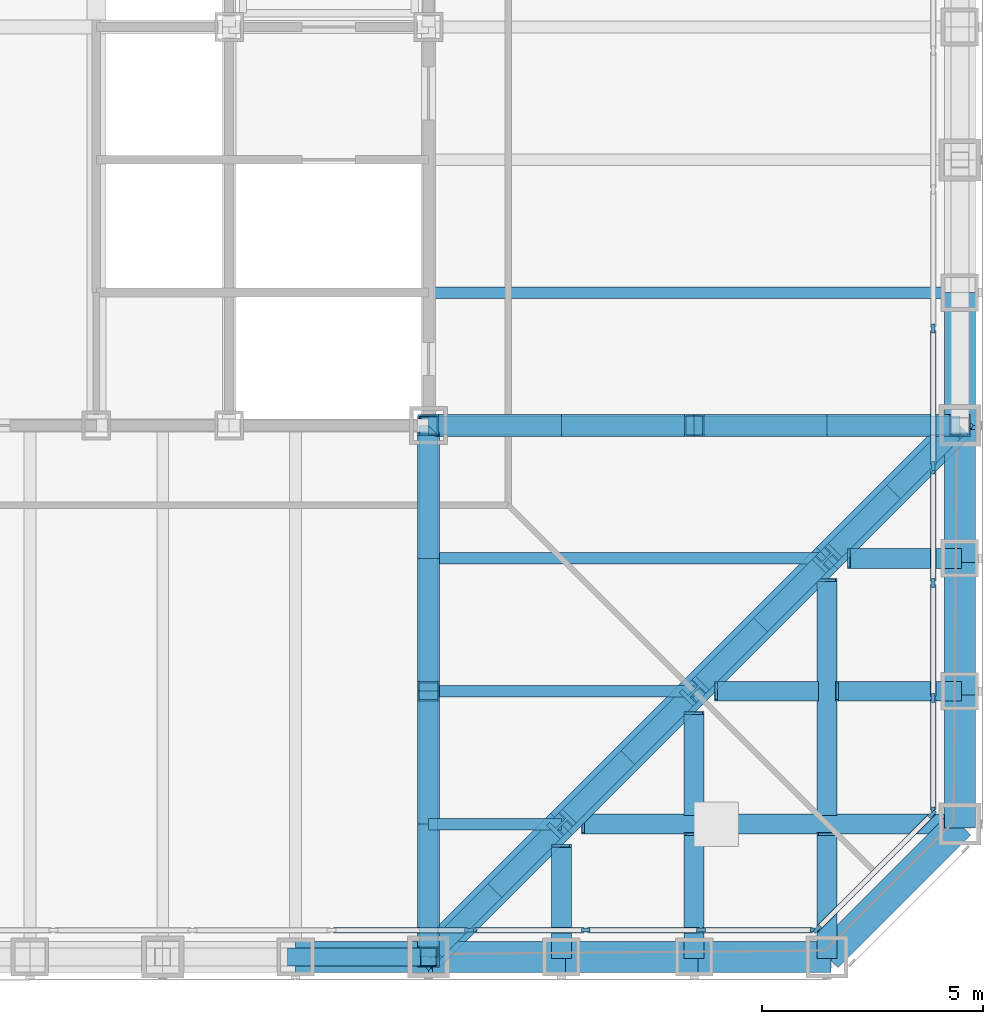
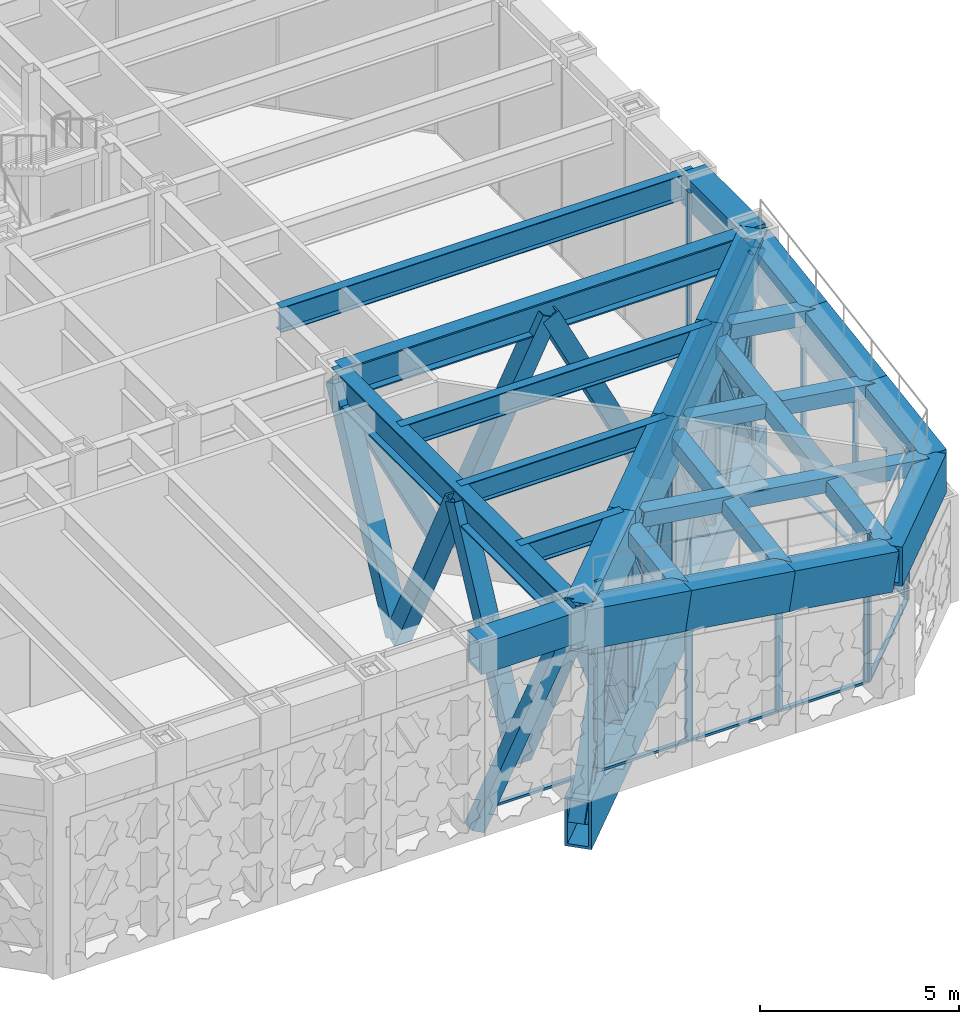
# One storey, part 6 of 28: 47 members, 24 beams, 5 elements without a shape of their own.
"""IFC4 building model written with IfcOpenShell, lengths in metres."""

import ifcopenshell
import ifcopenshell.guid

model = None  # the IFC model being written
_history = None  # IfcOwnerHistory: only IFC2X3 demands one
_inside = {}  # id of a spatial element -> (the spatial element, [elements in it])
_under = {}  # id of a project, library or spatial element -> (it, [spatial elements below it])
_declared = {}  # id of a project -> (the project, [libraries it declares])
_typed = {}  # id of a type object -> (the type object, [elements of that type])
_made_of = {}  # id of a material, layer set ... -> (it, [elements and type objects made of it])


def new_model(schema):
    """Start an empty IFC model of exactly this schema.

    Asked for "IFC4X3", IfcOpenShell would pick the latest addendum, in which some entities
    have other attributes; the version numbers below select the first issue.
    IFC2X3 requires an IfcOwnerHistory on every rooted entity: one is made here for all.
    """
    global model, _history
    if schema == "IFC4X3":
        model = ifcopenshell.file(schema_version=(4, 3, 0, 0))
    else:
        model = ifcopenshell.file(schema=schema)
    _inside.clear()
    _under.clear()
    _declared.clear()
    _typed.clear()
    _made_of.clear()
    _history = None
    if model.schema == "IFC2X3":
        org = make("IfcOrganization", Name="unknown")
        user = make(
            "IfcPersonAndOrganization",
            ThePerson=make("IfcPerson", FamilyName="unknown"),
            TheOrganization=org,
        )
        app = make(
            "IfcApplication",
            ApplicationDeveloper=org,
            Version="unknown",
            ApplicationFullName="unknown",
            ApplicationIdentifier="unknown",
        )
        _history = make(
            "IfcOwnerHistory",
            OwningUser=user,
            OwningApplication=app,
            ChangeAction="ADDED",
            CreationDate=0,
        )
    return model


def make(cls, **values):
    """One entity of the class cls with the attributes given. An attribute that is None is left unset."""
    return model.create_entity(
        cls, **{name: value for name, value in values.items() if value is not None}
    )


def rooted(cls, **values):
    """An entity with a GlobalId (a new one), such as an element, a storey or a relation."""
    return make(cls, GlobalId=ifcopenshell.guid.new(), OwnerHistory=_history, **values)


def si_unit(unit_type, name, prefix=None):
    """IfcSIUnit, for example si_unit("LENGTHUNIT", "METRE", prefix="MILLI")."""
    return make("IfcSIUnit", UnitType=unit_type, Prefix=prefix, Name=name)


def assignment(units):
    """IfcUnitAssignment: the units of a project."""
    return None if units is None else make("IfcUnitAssignment", Units=units)


def point(xyz):
    """IfcCartesianPoint."""
    return None if xyz is None else make("IfcCartesianPoint", Coordinates=xyz)


def direction(xyz):
    """IfcDirection."""
    return None if xyz is None else make("IfcDirection", DirectionRatios=xyz)


def frame(location, z_axis=None, x_axis=None):
    """IfcAxis2Placement3D, a coordinate frame: its origin and axes. An axis left out is left unset."""
    return make(
        "IfcAxis2Placement3D",
        Location=point(location),
        Axis=direction(z_axis),
        RefDirection=direction(x_axis),
    )


def frame_2d(location, x_axis=None):
    """IfcAxis2Placement2D, a coordinate frame in the plane: its origin and x axis."""
    return make(
        "IfcAxis2Placement2D", Location=point(location), RefDirection=direction(x_axis)
    )


def origin():
    """The frame at (0, 0, 0) with its axes left unset."""
    return frame((0.0, 0.0, 0.0))


def origin_2d():
    """The frame at (0, 0) in the plane with its x axis left unset."""
    return frame_2d((0.0, 0.0))


def place(relative_to, where):
    """IfcLocalPlacement: puts the frame where relative to a parent placement (None: the world)."""
    return make(
        "IfcLocalPlacement", PlacementRelTo=relative_to, RelativePlacement=where
    )


def context(
    kind, dimensions, precision=None, world=None, true_north=None, identifier=None
):
    """IfcGeometricRepresentationContext, for example the 3D "Model" context."""
    return make(
        "IfcGeometricRepresentationContext",
        ContextIdentifier=identifier,
        ContextType=kind,
        CoordinateSpaceDimension=dimensions,
        Precision=precision,
        WorldCoordinateSystem=world,
        TrueNorth=true_north,
    )


def subcontext(parent, identifier, kind, view, scale=None):
    """IfcGeometricRepresentationSubContext, for example "Body" below "Model"."""
    return make(
        "IfcGeometricRepresentationSubContext",
        ContextIdentifier=identifier,
        ContextType=kind,
        ParentContext=parent,
        TargetScale=scale,
        TargetView=view,
    )


def project(units=None, contexts=None):
    """IfcProject with its units and contexts."""
    return rooted(
        "IfcProject",
        Name="project",
        RepresentationContexts=contexts,
        UnitsInContext=assignment(units),
    )


def spatial(cls, under=None, at=None, **own):
    """A site, building, storey or space (cls), placed at a placement, below another one or the project."""
    s = rooted(cls, ObjectPlacement=at, **own)
    if under is not None:
        _under.setdefault(under.id(), (under, []))[1].append(s)
    return s


def profile(cls, at=None, kind="AREA", **sizes):
    """A parametric profile (cls). Its sizes go by their IFC names, for example OverallWidth=200.0."""
    return make(cls, ProfileType=kind, Position=at, **sizes)


def rectangle(**sizes):
    """IfcRectangleProfileDef."""
    return profile("IfcRectangleProfileDef", **sizes)


def hollow_rectangle(**sizes):
    """IfcRectangleHollowProfileDef."""
    return profile("IfcRectangleHollowProfileDef", **sizes)


def i_section(**sizes):
    """IfcIShapeProfileDef."""
    return profile("IfcIShapeProfileDef", **sizes)


def extrude(swept, where, along, depth):
    """IfcExtrudedAreaSolid: the profile swept, set in the frame where, extruded along a direction by depth."""
    return make(
        "IfcExtrudedAreaSolid",
        SweptArea=swept,
        Position=where,
        ExtrudedDirection=direction(along),
        Depth=depth,
    )


def shape(context_of_items, identifier, shape_type, items):
    """IfcShapeRepresentation: the items that make up one representation, for example the "Body"."""
    return make(
        "IfcShapeRepresentation",
        ContextOfItems=context_of_items,
        RepresentationIdentifier=identifier,
        RepresentationType=shape_type,
        Items=items,
    )


def material(Name=None, Category=None):
    """IfcMaterial."""
    return make("IfcMaterial", Name=Name, Category=Category)


def layer(
    of_material, thickness, ventilated=None, Name=None, Category=None, Priority=None
):
    """IfcMaterialLayer: one layer of a wall or slab, of a material (None: an air gap)."""
    return make(
        "IfcMaterialLayer",
        Material=of_material,
        LayerThickness=thickness,
        IsVentilated=ventilated,
        Name=Name,
        Category=Category,
        Priority=Priority,
    )


def layer_set(layers, Name=None):
    """IfcMaterialLayerSet."""
    return make("IfcMaterialLayerSet", MaterialLayers=layers, LayerSetName=Name)


def material_profile(
    of_material, cross_section, Name=None, Category=None, Priority=None
):
    """IfcMaterialProfile: a cross section and its material."""
    return make(
        "IfcMaterialProfile",
        Name=Name,
        Material=of_material,
        Profile=cross_section,
        Priority=Priority,
        Category=Category,
    )


def profile_set(profiles, Name=None, composite=None):
    """IfcMaterialProfileSet."""
    return make(
        "IfcMaterialProfileSet",
        Name=Name,
        MaterialProfiles=profiles,
        CompositeProfile=composite,
    )


def made_of(thing, what):
    """Note that an element or type object is made of a material, layer set ...; save() writes the relation."""
    if what is not None:
        _made_of.setdefault(what.id(), (what, []))[1].append(thing)
    return thing


def type_object(cls, material=None, **own):
    """A type object (cls), such as IfcWallType, which elements share."""
    return made_of(rooted(cls, **own), material)


def element(
    cls,
    number,
    at=None,
    inside=None,
    cuts=None,
    type_object=None,
    material=None,
    context=None,
    identifier="Body",
    shape_type=None,
    held_by="IfcProductDefinitionShape",
    body=None,
    shapes=None,
    **own,
):
    """One element of the class cls, such as IfcWall. Its Tag is "e" and its number.

    at: its placement. inside: the storey or other place that contains it. cuts: it is an
    opening in that element (IfcRelVoidsElement). A single representation is given by context,
    identifier, shape_type and body (its items); several are given by shapes. held_by: the class
    of the entity that holds the representations. save() writes the other relations.
    """
    e = rooted(cls, Tag="e%d" % number, ObjectPlacement=at, **own)
    if body is not None:
        shapes = [shape(context, identifier, shape_type, body)]
    if shapes is not None:
        e.Representation = make(held_by, Representations=shapes)
    if inside is not None:
        _inside.setdefault(inside.id(), (inside, []))[1].append(e)
    if cuts is not None:
        rooted(
            "IfcRelVoidsElement", RelatingBuildingElement=cuts, RelatedOpeningElement=e
        )
    if type_object is not None:
        _typed.setdefault(type_object.id(), (type_object, []))[1].append(e)
    return made_of(e, material)


def aggregate(whole, parts):
    """IfcRelAggregates: a whole, such as a stair, and the parts it consists of."""
    return rooted("IfcRelAggregates", RelatingObject=whole, RelatedObjects=parts)


def save(model, path):
    """Write the relations noted so far, then the file.

    IfcRelAggregates (storeys below a building ...), IfcRelContainedInSpatialStructure (elements
    in a storey), IfcRelDefinesByType, IfcRelAssociatesMaterial and IfcRelDeclares: one each for
    every whole, place, type object, material and project.
    """
    for whole, parts in _under.values():
        aggregate(whole, parts)
    for where, things in _inside.values():
        rooted(
            "IfcRelContainedInSpatialStructure",
            RelatedElements=things,
            RelatingStructure=where,
        )
    for kind, things in _typed.values():
        rooted("IfcRelDefinesByType", RelatedObjects=things, RelatingType=kind)
    for what, things in _made_of.values():
        rooted("IfcRelAssociatesMaterial", RelatedObjects=things, RelatingMaterial=what)
    for by, libraries in _declared.values():
        rooted("IfcRelDeclares", RelatingContext=by, RelatedDefinitions=libraries)
    model.write(path)


model = new_model("IFC4")

# Units and contexts
model_context = context("Model", 3, precision=1e-05, world=origin(), true_north=direction((0.0, 1.0)))
body_context = subcontext(model_context, "Body", "Model", "MODEL_VIEW")
ifc_project = project(units=[si_unit("LENGTHUNIT", "METRE"), si_unit("AREAUNIT", "SQUARE_METRE"), si_unit("VOLUMEUNIT", "CUBIC_METRE"), si_unit("PLANEANGLEUNIT", "RADIAN"), si_unit("MASSUNIT", "GRAM", prefix="KILO")], contexts=[model_context])

# Site, building, storey
site_placement = place(None, origin())
site = spatial("IfcSite", under=ifc_project, at=site_placement, CompositionType="ELEMENT")
building_placement = place(site_placement, origin())
building = spatial("IfcBuilding", under=site, at=building_placement, Name="Chuquiago Exchange Tower", CompositionType="ELEMENT")
storey_placement = place(building_placement, frame((0.0, 0.0, 174.0)))
storey = spatial("IfcBuildingStorey", under=building, at=storey_placement, Name="L38", CompositionType="ELEMENT", Elevation=174.0)

# Beams
ifc_material_1 = material(Name="Steel ASTM A992", Category="steel")
ifc_material_profile_1 = material_profile(ifc_material_1, i_section(OverallWidth=0.2666015625, OverallDepth=0.761962890625, WebThickness=0.014404296875, FlangeThickness=0.021484375, at=origin_2d()), Name="W30X116")
ifc_profile_set_1 = profile_set([ifc_material_profile_1], Name="Steel ASTM A992")
beam_type_1 = type_object("IfcBeamType", Name="B8 W30X116", PredefinedType="BEAM", material=ifc_profile_set_1)
beam_1_placement = place(storey_placement, frame((33.0, 15.0, 5.458984375), z_axis=(1.0, 0.0, 0.0), x_axis=(0.0, 1.0, 0.0)))
element("IfcBeam", 1, at=beam_1_placement, inside=storey, type_object=beam_type_1, Name="FB-L39-infill-33_15-45_15-0", PredefinedType="BEAM", context=body_context, shape_type="SweptSolid", body=[
    extrude(i_section(OverallWidth=0.2666015625, OverallDepth=0.761962890625, WebThickness=0.014404296875, FlangeThickness=0.021484375, at=origin_2d()), origin(), (0.0, 0.0, 1.0), 12.0),
])
ifc_material_2 = material(Name="Steel ASTM A992", Category="steel")
ifc_material_profile_2 = material_profile(ifc_material_2, i_section(OverallWidth=0.256591796875, OverallDepth=0.693359375, WebThickness=0.014404296875, FlangeThickness=0.023681640625, at=origin_2d()), Name="W27X114")
ifc_profile_set_2 = profile_set([ifc_material_profile_2], Name="Steel ASTM A992")
beam_type_2 = type_object("IfcBeamType", Name="B9 W27X114", PredefinedType="BEAM", material=ifc_profile_set_2)
beam_2_placement = place(storey_placement, frame((33.0, 3.0, 5.493408203125), z_axis=(1.0, 0.0, 0.0), x_axis=(0.0, 1.0, 0.0)))
element("IfcBeam", 2, at=beam_2_placement, inside=storey, type_object=beam_type_2, Name="FB-L39-corner-33_3-36_3-0", PredefinedType="BEAM", context=body_context, shape_type="SweptSolid", body=[
    extrude(i_section(OverallWidth=0.256591796875, OverallDepth=0.693359375, WebThickness=0.014404296875, FlangeThickness=0.023681640625, at=origin_2d()), origin(), (0.0, 0.0, 1.0), 3.0),
])
beam_3_placement = place(storey_placement, frame((33.0, 6.0, 5.493408203125), z_axis=(1.0, 0.0, 0.0), x_axis=(0.0, 1.0, 0.0)))
element("IfcBeam", 3, at=beam_3_placement, inside=storey, type_object=beam_type_2, Name="FB-L39-corner-33_6-39_6-0", PredefinedType="BEAM", context=body_context, shape_type="SweptSolid", body=[
    extrude(i_section(OverallWidth=0.256591796875, OverallDepth=0.693359375, WebThickness=0.014404296875, FlangeThickness=0.023681640625, at=origin_2d()), origin(), (0.0, 0.0, 1.0), 6.0),
])
beam_4_placement = place(storey_placement, frame((33.0, 9.0, 5.493408203125), z_axis=(1.0, 0.0, 0.0), x_axis=(0.0, 1.0, 0.0)))
element("IfcBeam", 4, at=beam_4_placement, inside=storey, type_object=beam_type_2, Name="FB-L39-corner-33_9-42_9-0", PredefinedType="BEAM", context=body_context, shape_type="SweptSolid", body=[
    extrude(i_section(OverallWidth=0.256591796875, OverallDepth=0.693359375, WebThickness=0.014404296875, FlangeThickness=0.023681640625, at=origin_2d()), origin(), (0.0, 0.0, 1.0), 9.0),
])

# Member
ifc_material_3 = material(Name="Steel ASTM A500 Grade C", Category="steel")
ifc_material_profile_3 = material_profile(ifc_material_3, hollow_rectangle(XDim=0.406494140625, YDim=0.406494140625, WallThickness=0.0146484375, at=origin_2d()), Name="HSS16X16X5/8")
ifc_profile_set_3 = profile_set([ifc_material_profile_3], Name="Steel ASTM A500 Grade C")
member_type_1 = type_object("IfcMemberType", Name="BT1 HSS16X16X5/8", PredefinedType="BRACE", material=ifc_profile_set_3)
member_1_placement = place(storey_placement, frame((30.0, 0.0, 0.0), z_axis=(0.456929540486, 0.0, 0.889502892087), x_axis=(0.0, 1.0, 0.0)))
element("IfcMember", 5, at=member_1_placement, inside=storey, type_object=member_type_1, Name="Belt truss L38 diagonal", PredefinedType="BRACE", context=body_context, shape_type="SweptSolid", body=[
    extrude(hollow_rectangle(XDim=0.406494140625, YDim=0.406494140625, WallThickness=0.0146484375, at=origin_2d()), origin(), (0.0, 0.0, 1.0), 6.565673828125),
])

# Curtain wall, member
ifc_material_4 = material(Name="Aluminium curtain wall system", Category="aluminium")
ifc_layer = layer(ifc_material_4, 0.199951171875)
ifc_layer_set = layer_set([ifc_layer], Name="CW6 plant floor louvre wall")
curtain_wall_type = type_object("IfcCurtainWallType", Name="CW6 plant floor louvre wall", PredefinedType="NOTDEFINED", material=ifc_layer_set)
curtain_wall_1_placement = place(storey_placement, origin())
curtain_wall_1 = element("IfcCurtainWall", 6, at=curtain_wall_1_placement, inside=storey, type_object=curtain_wall_type, Name="CW6 curtain wall L38", PredefinedType="NOTDEFINED")
ifc_material_5 = material(Name="Aluminium mullion, pale anodised", Category="aluminium")
ifc_material_profile_4 = material_profile(ifc_material_5, rectangle(XDim=0.074951171875, YDim=0.199951171875, at=origin_2d()), Name="AL 75x200")
ifc_profile_set_4 = profile_set([ifc_material_profile_4], Name="Aluminium mullion, pale anodised")
member_type_2 = type_object("IfcMemberType", Name="CW6-M mullion 75x200", PredefinedType="MULLION", material=ifc_profile_set_4)
member_2_placement = place(storey_placement, frame((33.916015625, 0.60009765625, 0.0), z_axis=(0.0, 0.0, 1.0), x_axis=(0.0, 1.0, 0.0)))
member_2 = element("IfcMember", 7, at=member_2_placement, type_object=member_type_2, Name="CW6 mullion 6", PredefinedType="MULLION", context=body_context, shape_type="SweptSolid", body=[
    extrude(rectangle(XDim=0.074951171875, YDim=0.199951171875, at=origin_2d()), origin(), (0.0, 0.0, 1.0), 5.840087890625),
])

# Curtain wall, members
curtain_wall_2_placement = place(storey_placement, origin())
curtain_wall_2 = element("IfcCurtainWall", 8, at=curtain_wall_2_placement, inside=storey, type_object=curtain_wall_type, Name="CW6 curtain wall L38", PredefinedType="NOTDEFINED")
member_3_placement = place(storey_placement, frame((33.990966796875, 0.60009765625, 0.0), z_axis=(0.0, 0.0, 1.0), x_axis=(0.0, 1.0, 0.0)))
member_3 = element("IfcMember", 9, at=member_3_placement, type_object=member_type_2, Name="CW6 mullion 1", PredefinedType="MULLION", context=body_context, shape_type="SweptSolid", body=[
    extrude(rectangle(XDim=0.074951171875, YDim=0.199951171875, at=origin_2d()), origin(), (0.0, 0.0, 1.0), 4.5703125),
])
member_4_placement = place(storey_placement, frame((36.552734375, 0.60009765625, 0.0), z_axis=(0.0, 0.0, 1.0), x_axis=(0.0, 1.0, 0.0)))
member_4 = element("IfcMember", 10, at=member_4_placement, type_object=member_type_2, Name="CW6 mullion 2", PredefinedType="MULLION", context=body_context, shape_type="SweptSolid", body=[
    extrude(rectangle(XDim=0.074951171875, YDim=0.199951171875, at=origin_2d()), origin(), (0.0, 0.0, 1.0), 4.5703125),
])
member_5_placement = place(storey_placement, frame((39.152099609375, 0.60009765625, 0.0), z_axis=(0.0, 0.0, 1.0), x_axis=(0.0, 1.0, 0.0)))
member_5 = element("IfcMember", 11, at=member_5_placement, type_object=member_type_2, Name="CW6 mullion 3", PredefinedType="MULLION", context=body_context, shape_type="SweptSolid", body=[
    extrude(rectangle(XDim=0.074951171875, YDim=0.199951171875, at=origin_2d()), origin(), (0.0, 0.0, 1.0), 4.5703125),
])
member_6_placement = place(storey_placement, frame((41.7138671875, 0.60009765625, 0.0), z_axis=(0.0, 0.0, 1.0), x_axis=(0.0, 1.0, 0.0)))
member_6 = element("IfcMember", 12, at=member_6_placement, type_object=member_type_2, Name="CW6 mullion 4", PredefinedType="MULLION", context=body_context, shape_type="SweptSolid", body=[
    extrude(rectangle(XDim=0.074951171875, YDim=0.199951171875, at=origin_2d()), origin(), (0.0, 0.0, 1.0), 4.5703125),
])

curtain_wall_3_placement = place(storey_placement, origin())
curtain_wall_3 = element("IfcCurtainWall", 13, at=curtain_wall_3_placement, inside=storey, type_object=curtain_wall_type, Name="CW6 curtain wall L38", PredefinedType="NOTDEFINED")
member_7_placement = place(storey_placement, frame((41.778076171875, 0.62646484375, 0.0), z_axis=(0.0, 0.0, 1.0), x_axis=(-0.707106781187, 0.707106781187, 0.0)))
member_7 = element("IfcMember", 14, at=member_7_placement, type_object=member_type_2, Name="CW6 mullion 1", PredefinedType="MULLION", context=body_context, shape_type="SweptSolid", body=[
    extrude(rectangle(XDim=0.074951171875, YDim=0.199951171875, at=origin_2d()), origin(), (0.0, 0.0, 1.0), 4.5703125),
])
member_8_placement = place(storey_placement, frame((44.37353515625, 3.221923828125, 0.0), z_axis=(0.0, 0.0, 1.0), x_axis=(-0.707106781187, 0.707106781187, 0.0)))
member_8 = element("IfcMember", 15, at=member_8_placement, type_object=member_type_2, Name="CW6 mullion 2", PredefinedType="MULLION", context=body_context, shape_type="SweptSolid", body=[
    extrude(rectangle(XDim=0.074951171875, YDim=0.199951171875, at=origin_2d()), origin(), (0.0, 0.0, 1.0), 4.5703125),
])

curtain_wall_4_placement = place(storey_placement, origin())
curtain_wall_4 = element("IfcCurtainWall", 16, at=curtain_wall_4_placement, inside=storey, type_object=curtain_wall_type, Name="CW6 curtain wall L38", PredefinedType="NOTDEFINED")
member_9_placement = place(storey_placement, frame((44.39990234375, 3.285888671875, 0.0), z_axis=(0.0, 0.0, 1.0), x_axis=(-1.0, 0.0, 0.0)))
member_9 = element("IfcMember", 17, at=member_9_placement, type_object=member_type_2, Name="CW6 mullion 1", PredefinedType="MULLION", context=body_context, shape_type="SweptSolid", body=[
    extrude(rectangle(XDim=0.074951171875, YDim=0.199951171875, at=origin_2d()), origin(), (0.0, 0.0, 1.0), 4.5703125),
])
member_10_placement = place(storey_placement, frame((44.39990234375, 5.847900390625, 0.0), z_axis=(0.0, 0.0, 1.0), x_axis=(-1.0, 0.0, 0.0)))
member_10 = element("IfcMember", 18, at=member_10_placement, type_object=member_type_2, Name="CW6 mullion 2", PredefinedType="MULLION", context=body_context, shape_type="SweptSolid", body=[
    extrude(rectangle(XDim=0.074951171875, YDim=0.199951171875, at=origin_2d()), origin(), (0.0, 0.0, 1.0), 4.5703125),
])
member_11_placement = place(storey_placement, frame((44.39990234375, 8.447021484375, 0.0), z_axis=(0.0, 0.0, 1.0), x_axis=(-1.0, 0.0, 0.0)))
member_11 = element("IfcMember", 19, at=member_11_placement, type_object=member_type_2, Name="CW6 mullion 3", PredefinedType="MULLION", context=body_context, shape_type="SweptSolid", body=[
    extrude(rectangle(XDim=0.074951171875, YDim=0.199951171875, at=origin_2d()), origin(), (0.0, 0.0, 1.0), 4.5703125),
])
member_12_placement = place(storey_placement, frame((44.39990234375, 11.0087890625, 0.0), z_axis=(0.0, 0.0, 1.0), x_axis=(-1.0, 0.0, 0.0)))
member_12 = element("IfcMember", 20, at=member_12_placement, type_object=member_type_2, Name="CW6 mullion 4", PredefinedType="MULLION", context=body_context, shape_type="SweptSolid", body=[
    extrude(rectangle(XDim=0.074951171875, YDim=0.199951171875, at=origin_2d()), origin(), (0.0, 0.0, 1.0), 4.5703125),
])

curtain_wall_5_placement = place(storey_placement, origin())
curtain_wall_5 = element("IfcCurtainWall", 21, at=curtain_wall_5_placement, inside=storey, type_object=curtain_wall_type, Name="CW6 curtain wall L38", PredefinedType="NOTDEFINED")
member_13_placement = place(storey_placement, frame((44.39990234375, 11.083984375, 0.0), z_axis=(0.0, 0.0, 1.0), x_axis=(-1.0, 0.0, 0.0)))
member_13 = element("IfcMember", 22, at=member_13_placement, type_object=member_type_2, Name="CW6 mullion 1", PredefinedType="MULLION", context=body_context, shape_type="SweptSolid", body=[
    extrude(rectangle(XDim=0.074951171875, YDim=0.199951171875, at=origin_2d()), origin(), (0.0, 0.0, 1.0), 5.840087890625),
])
member_14_placement = place(storey_placement, frame((44.39990234375, 14.1875, 0.0), z_axis=(0.0, 0.0, 1.0), x_axis=(-1.0, 0.0, 0.0)))
member_14 = element("IfcMember", 23, at=member_14_placement, type_object=member_type_2, Name="CW6 mullion 2", PredefinedType="MULLION", context=body_context, shape_type="SweptSolid", body=[
    extrude(rectangle(XDim=0.074951171875, YDim=0.199951171875, at=origin_2d()), origin(), (0.0, 0.0, 1.0), 5.840087890625),
])

# Member
ifc_material_6 = material(Name="Aluminium transom, pale anodised", Category="aluminium")
ifc_material_profile_5 = material_profile(ifc_material_6, rectangle(XDim=0.1201171875, YDim=0.074951171875, at=origin_2d()), Name="AL 120x75")
ifc_profile_set_5 = profile_set([ifc_material_profile_5], Name="Aluminium transom, pale anodised")
member_type_3 = type_object("IfcMemberType", Name="CW6-T transom 75x120", PredefinedType="MULLION", material=ifc_profile_set_5)
member_15_placement = place(storey_placement, frame((30.85009765625, 0.60009765625, 0.03759765625), z_axis=(1.0, 0.0, 0.0), x_axis=(0.0, 1.0, 0.0)))
member_15 = element("IfcMember", 24, at=member_15_placement, type_object=member_type_3, Name="CW6 transom 5.1", PredefinedType="MULLION", context=body_context, shape_type="SweptSolid", body=[
    extrude(rectangle(XDim=0.1201171875, YDim=0.074951171875, at=origin_2d()), origin(), (0.0, 0.0, 1.0), 3.0283203125),
])

aggregate(curtain_wall_1, [member_2, member_15])

member_16_placement = place(storey_placement, frame((34.028564453125, 0.60009765625, 0.03759765625), z_axis=(1.0, 0.0, 0.0), x_axis=(0.0, 1.0, 0.0)))
member_16 = element("IfcMember", 25, at=member_16_placement, type_object=member_type_3, Name="CW6 transom 1.1", PredefinedType="MULLION", context=body_context, shape_type="SweptSolid", body=[
    extrude(rectangle(XDim=0.1201171875, YDim=0.074951171875, at=origin_2d()), origin(), (0.0, 0.0, 1.0), 2.48681640625),
])

member_17_placement = place(storey_placement, frame((36.59033203125, 0.60009765625, 0.03759765625), z_axis=(1.0, 0.0, 0.0), x_axis=(0.0, 1.0, 0.0)))
member_17 = element("IfcMember", 26, at=member_17_placement, type_object=member_type_3, Name="CW6 transom 2.1", PredefinedType="MULLION", context=body_context, shape_type="SweptSolid", body=[
    extrude(rectangle(XDim=0.1201171875, YDim=0.074951171875, at=origin_2d()), origin(), (0.0, 0.0, 1.0), 2.524169921875),
])

member_18_placement = place(storey_placement, frame((39.189697265625, 0.60009765625, 0.03759765625), z_axis=(1.0, 0.0, 0.0), x_axis=(0.0, 1.0, 0.0)))
member_18 = element("IfcMember", 27, at=member_18_placement, type_object=member_type_3, Name="CW6 transom 3.1", PredefinedType="MULLION", context=body_context, shape_type="SweptSolid", body=[
    extrude(rectangle(XDim=0.1201171875, YDim=0.074951171875, at=origin_2d()), origin(), (0.0, 0.0, 1.0), 2.48681640625),
])

aggregate(curtain_wall_2, [member_3, member_4, member_5, member_6, member_16, member_17, member_18])

member_19_placement = place(storey_placement, frame((41.804443359375, 0.653076171875, 0.03759765625), z_axis=(0.707106781187, 0.707106781187, 0.0), x_axis=(-0.707106781187, 0.707106781187, 0.0)))
member_19 = element("IfcMember", 28, at=member_19_placement, type_object=member_type_3, Name="CW6 transom 1.1", PredefinedType="MULLION", context=body_context, shape_type="SweptSolid", body=[
    extrude(rectangle(XDim=0.1201171875, YDim=0.074951171875, at=origin_2d()), origin(), (0.0, 0.0, 1.0), 3.595703125),
])

aggregate(curtain_wall_3, [member_7, member_8, member_19])

member_20_placement = place(storey_placement, frame((44.39990234375, 3.323486328125, 0.03759765625), z_axis=(0.0, 1.0, 0.0), x_axis=(-1.0, 0.0, 0.0)))
member_20 = element("IfcMember", 29, at=member_20_placement, type_object=member_type_3, Name="CW6 transom 1.1", PredefinedType="MULLION", context=body_context, shape_type="SweptSolid", body=[
    extrude(rectangle(XDim=0.1201171875, YDim=0.074951171875, at=origin_2d()), origin(), (0.0, 0.0, 1.0), 2.48681640625),
])

member_21_placement = place(storey_placement, frame((44.39990234375, 5.88525390625, 0.03759765625), z_axis=(0.0, 1.0, 0.0), x_axis=(-1.0, 0.0, 0.0)))
member_21 = element("IfcMember", 30, at=member_21_placement, type_object=member_type_3, Name="CW6 transom 2.1", PredefinedType="MULLION", context=body_context, shape_type="SweptSolid", body=[
    extrude(rectangle(XDim=0.1201171875, YDim=0.074951171875, at=origin_2d()), origin(), (0.0, 0.0, 1.0), 2.5244140625),
])

member_22_placement = place(storey_placement, frame((44.39990234375, 8.484619140625, 0.03759765625), z_axis=(0.0, 1.0, 0.0), x_axis=(-1.0, 0.0, 0.0)))
member_22 = element("IfcMember", 31, at=member_22_placement, type_object=member_type_3, Name="CW6 transom 3.1", PredefinedType="MULLION", context=body_context, shape_type="SweptSolid", body=[
    extrude(rectangle(XDim=0.1201171875, YDim=0.074951171875, at=origin_2d()), origin(), (0.0, 0.0, 1.0), 2.48681640625),
])

aggregate(curtain_wall_4, [member_9, member_10, member_11, member_12, member_20, member_21, member_22])

member_23_placement = place(storey_placement, frame((44.39990234375, 11.121337890625, 0.03759765625), z_axis=(0.0, 1.0, 0.0), x_axis=(-1.0, 0.0, 0.0)))
member_23 = element("IfcMember", 32, at=member_23_placement, type_object=member_type_3, Name="CW6 transom 1.1", PredefinedType="MULLION", context=body_context, shape_type="SweptSolid", body=[
    extrude(rectangle(XDim=0.1201171875, YDim=0.074951171875, at=origin_2d()), origin(), (0.0, 0.0, 1.0), 3.028564453125),
])

aggregate(curtain_wall_5, [member_13, member_14, member_23])

# Beams
ifc_material_7 = material(Name="Steel ASTM A572 Grade 50", Category="steel")
ifc_material_profile_6 = material_profile(ifc_material_7, hollow_rectangle(XDim=0.699951171875, YDim=1.199951171875, WallThickness=0.090087890625, at=origin_2d()), Name="BOX1200X700X90")
ifc_profile_set_6 = profile_set([ifc_material_profile_6], Name="Steel ASTM A572 Grade 50")
beam_type_3 = type_object("IfcBeamType", Name="EB2 BOX1200X700X90", PredefinedType="BEAM", material=ifc_profile_set_6)
for number, where, z_axis, x_axis, name in (
    (33, (33.0, 0.0, 5.199951171875), (0.98889144561, 0.0, -0.148639526371), (0.0, 1.0, 0.0), "Facet roof edge beam L38"),
    (34, (36.0, 0.0, 4.7490234375), (0.98889144561, 0.0, -0.148639526371), (0.0, 1.0, 0.0), "Facet roof edge beam L38"),
    (35, (39.0, 0.0, 4.298095703125), (0.988903271683, 0.0, -0.148560826784), (0.0, 1.0, 0.0), "Facet roof edge beam L38"),
):
    element("IfcBeam", number, at=place(storey_placement, frame(where, z_axis=z_axis, x_axis=x_axis)), inside=storey, type_object=beam_type_3, Name=name, PredefinedType="BEAM", context=body_context, shape_type="SweptSolid", body=[
        extrude(hollow_rectangle(XDim=0.699951171875, YDim=1.199951171875, WallThickness=0.090087890625, at=origin_2d()), origin(), (0.0, 0.0, 1.0), 3.03369140625),
    ])
beam_5_placement = place(storey_placement, frame((42.0, 0.0, 3.847412109375), z_axis=(0.707106781187, 0.707106781187, 0.0), x_axis=(-0.707106781187, 0.707106781187, 0.0)))
element("IfcBeam", 36, at=beam_5_placement, inside=storey, type_object=beam_type_3, Name="Facet roof edge beam L38", PredefinedType="BEAM", context=body_context, shape_type="SweptSolid", body=[
    extrude(hollow_rectangle(XDim=0.699951171875, YDim=1.199951171875, WallThickness=0.090087890625, at=origin_2d()), origin(), (0.0, 0.0, 1.0), 4.24267578125),
])
for number, where, z_axis, x_axis, name in (
    (37, (45.0, 3.0, 3.847412109375), (0.0, 0.988903271683, 0.148560826784), (-1.0, 0.0, 0.0), "Facet roof edge beam L38"),
    (38, (45.0, 6.0, 4.298095703125), (0.0, 0.98889144561, 0.148639526371), (-1.0, 0.0, 0.0), "Facet roof edge beam L38"),
    (39, (45.0, 9.0, 4.7490234375), (0.0, 0.98889144561, 0.148639526371), (-1.0, 0.0, 0.0), "Facet roof edge beam L38"),
):
    element("IfcBeam", number, at=place(storey_placement, frame(where, z_axis=z_axis, x_axis=x_axis)), inside=storey, type_object=beam_type_3, Name=name, PredefinedType="BEAM", context=body_context, shape_type="SweptSolid", body=[
        extrude(hollow_rectangle(XDim=0.699951171875, YDim=1.199951171875, WallThickness=0.090087890625, at=origin_2d()), origin(), (0.0, 0.0, 1.0), 3.03369140625),
    ])
ifc_material_8 = material(Name="Steel ASTM A572 Grade 50", Category="steel")
ifc_material_profile_7 = material_profile(ifc_material_8, hollow_rectangle(XDim=0.449951171875, YDim=0.449951171875, WallThickness=0.034912109375, at=origin_2d()), Name="BOX450X450X35")
ifc_profile_set_7 = profile_set([ifc_material_profile_7], Name="Steel ASTM A572 Grade 50")
beam_type_4 = type_object("IfcBeamType", Name="FR1 BOX450X450X35", PredefinedType="BEAM", material=ifc_profile_set_7)
beam_6_placement = place(storey_placement, frame((36.492919921875, 3.0, 5.464599609375), z_axis=(0.988893638187, 0.0, -0.148624938533), x_axis=(0.0, 1.0, 0.0)))
element("IfcBeam", 40, at=beam_6_placement, inside=storey, type_object=beam_type_4, Name="Facet roof rafter L38", PredefinedType="BEAM", context=body_context, shape_type="SweptSolid", body=[
    extrude(hollow_rectangle(XDim=0.449951171875, YDim=0.449951171875, WallThickness=0.034912109375, at=origin_2d()), origin(), (0.0, 0.0, 1.0), 8.6025390625),
])
beam_7_placement = place(storey_placement, frame((36.0, 2.507080078125, 5.464599609375), z_axis=(0.0, -0.988898884676, -0.148590026201), x_axis=(1.0, 0.0, 0.0)))
element("IfcBeam", 41, at=beam_7_placement, inside=storey, type_object=beam_type_4, Name="Facet roof rafter L38", PredefinedType="BEAM", context=body_context, shape_type="SweptSolid", body=[
    extrude(hollow_rectangle(XDim=0.449951171875, YDim=0.449951171875, WallThickness=0.034912109375, at=origin_2d()), origin(), (0.0, 0.0, 1.0), 2.53515625),
])
beam_8_placement = place(storey_placement, frame((39.492919921875, 6.0, 5.464599609375), z_axis=(0.988890520477, 0.0, -0.148645681103), x_axis=(0.0, 1.0, 0.0)))
element("IfcBeam", 42, at=beam_8_placement, inside=storey, type_object=beam_type_4, Name="Facet roof rafter L38", PredefinedType="BEAM", context=body_context, shape_type="SweptSolid", body=[
    extrude(hollow_rectangle(XDim=0.449951171875, YDim=0.449951171875, WallThickness=0.034912109375, at=origin_2d()), origin(), (0.0, 0.0, 1.0), 2.3076171875),
])
beam_9_placement = place(storey_placement, frame((42.22509765625, 6.0, 5.053955078125), z_axis=(0.988896750706, 0.0, -0.148604227539), x_axis=(0.0, 1.0, 0.0)))
element("IfcBeam", 43, at=beam_9_placement, inside=storey, type_object=beam_type_4, Name="Facet roof rafter L38", PredefinedType="BEAM", context=body_context, shape_type="SweptSolid", body=[
    extrude(hollow_rectangle(XDim=0.449951171875, YDim=0.449951171875, WallThickness=0.034912109375, at=origin_2d()), origin(), (0.0, 0.0, 1.0), 2.80615234375),
])
beam_10_placement = place(storey_placement, frame((39.0, 5.507080078125, 5.464599609375), z_axis=(0.0, -0.988890520477, -0.148645681103), x_axis=(1.0, 0.0, 0.0)))
element("IfcBeam", 44, at=beam_10_placement, inside=storey, type_object=beam_type_4, Name="Facet roof rafter L38", PredefinedType="BEAM", context=body_context, shape_type="SweptSolid", body=[
    extrude(hollow_rectangle(XDim=0.449951171875, YDim=0.449951171875, WallThickness=0.034912109375, at=origin_2d()), origin(), (0.0, 0.0, 1.0), 2.3076171875),
])
beam_11_placement = place(storey_placement, frame((39.0, 2.77490234375, 5.053955078125), z_axis=(0.0, -0.988896750706, -0.148604227539), x_axis=(1.0, 0.0, 0.0)))
element("IfcBeam", 45, at=beam_11_placement, inside=storey, type_object=beam_type_4, Name="Facet roof rafter L38", PredefinedType="BEAM", context=body_context, shape_type="SweptSolid", body=[
    extrude(hollow_rectangle(XDim=0.449951171875, YDim=0.449951171875, WallThickness=0.034912109375, at=origin_2d()), origin(), (0.0, 0.0, 1.0), 2.80615234375),
])
beam_12_placement = place(storey_placement, frame((42.492919921875, 9.0, 5.464599609375), z_axis=(0.988898884676, 0.0, -0.148590026201), x_axis=(0.0, 1.0, 0.0)))
element("IfcBeam", 46, at=beam_12_placement, inside=storey, type_object=beam_type_4, Name="Facet roof rafter L38", PredefinedType="BEAM", context=body_context, shape_type="SweptSolid", body=[
    extrude(hollow_rectangle(XDim=0.449951171875, YDim=0.449951171875, WallThickness=0.034912109375, at=origin_2d()), origin(), (0.0, 0.0, 1.0), 2.53515625),
])
beam_13_placement = place(storey_placement, frame((42.0, 8.507080078125, 5.464599609375), z_axis=(0.0, -0.988891045928, -0.148642185411), x_axis=(1.0, 0.0, 0.0)))
element("IfcBeam", 47, at=beam_13_placement, inside=storey, type_object=beam_type_4, Name="Facet roof rafter L38", PredefinedType="BEAM", context=body_context, shape_type="SweptSolid", body=[
    extrude(hollow_rectangle(XDim=0.449951171875, YDim=0.449951171875, WallThickness=0.034912109375, at=origin_2d()), origin(), (0.0, 0.0, 1.0), 5.34130859375),
])
beam_14_placement = place(storey_placement, frame((42.0, 2.77490234375, 4.60302734375), z_axis=(0.0, -0.988896750706, -0.148604227539), x_axis=(1.0, 0.0, 0.0)))
element("IfcBeam", 48, at=beam_14_placement, inside=storey, type_object=beam_type_4, Name="Facet roof rafter L38", PredefinedType="BEAM", context=body_context, shape_type="SweptSolid", body=[
    extrude(hollow_rectangle(XDim=0.449951171875, YDim=0.449951171875, WallThickness=0.034912109375, at=origin_2d()), origin(), (0.0, 0.0, 1.0), 2.80615234375),
])
ifc_material_9 = material(Name="Steel ASTM A992", Category="steel")
ifc_material_profile_8 = material_profile(ifc_material_9, i_section(OverallWidth=0.424072265625, OverallDepth=0.947509765625, WebThickness=0.02392578125, FlangeThickness=0.042724609375, at=origin_2d()), Name="W36X302")
ifc_profile_set_8 = profile_set([ifc_material_profile_8], Name="Steel ASTM A992")
beam_type_5 = type_object("IfcBeamType", Name="G4 W36X302", PredefinedType="BEAM", material=ifc_profile_set_8)
for number, where, z_axis, x_axis, name in (
    (49, (33.0, 12.0, 5.3662109375), (0.0, -1.0, 0.0), (1.0, 0.0, 0.0), "FB-L39-girder-33_12-33_-0-0"),
    (50, (33.0, 12.0, 5.3662109375), (1.0, 0.0, 0.0), (0.0, 1.0, 0.0), "FB-L39-girder-33_12-45_12-0"),
):
    element("IfcBeam", number, at=place(storey_placement, frame(where, z_axis=z_axis, x_axis=x_axis)), inside=storey, type_object=beam_type_5, Name=name, PredefinedType="BEAM", context=body_context, shape_type="SweptSolid", body=[
        extrude(i_section(OverallWidth=0.424072265625, OverallDepth=0.947509765625, WebThickness=0.02392578125, FlangeThickness=0.042724609375, at=origin_2d()), origin(), (0.0, 0.0, 1.0), 12.0),
    ])

# Members
ifc_material_10 = material(Name="Steel ASTM A572 Grade 50", Category="steel")
ifc_material_profile_9 = material_profile(ifc_material_10, hollow_rectangle(XDim=0.5, YDim=0.5, WallThickness=0.0400390625, at=origin_2d()), Name="BOX500X500X40")
ifc_profile_set_9 = profile_set([ifc_material_profile_9], Name="Steel ASTM A572 Grade 50")
member_type_4 = type_object("IfcMemberType", Name="OT1 BOX500X500X40", PredefinedType="BRACE", material=ifc_profile_set_9)
for number, where, z_axis, x_axis, name in (
    (51, (33.0, 12.0, 5.3662109375), (0.0, -0.4472135955, -0.894427191), (1.0, 0.0, 0.0), "Outrigger diagonal L38"),
    (52, (33.0, 9.0, -0.6337890625), (0.0, -0.4472135955, 0.894427191), (1.0, 0.0, 0.0), "Outrigger diagonal L38"),
    (53, (33.0, 6.0, 5.3662109375), (0.0, -0.4472135955, -0.894427191), (1.0, 0.0, 0.0), "Outrigger diagonal L38"),
    (54, (33.0, 3.0, -0.6337890625), (0.0, -0.4472135955, 0.894427191), (1.0, 0.0, 0.0), "Outrigger diagonal L38"),
    (55, (33.0, 12.0, 5.3662109375), (0.4472135955, 0.0, -0.894427191), (0.0, 1.0, 0.0), "Outrigger diagonal L38"),
    (56, (36.0, 12.0, -0.6337890625), (0.4472135955, 0.0, 0.894427191), (0.0, 1.0, 0.0), "Outrigger diagonal L38"),
    (57, (39.0, 12.0, 5.3662109375), (0.4472135955, 0.0, -0.894427191), (0.0, 1.0, 0.0), "Outrigger diagonal L38"),
    (58, (42.0, 12.0, -0.6337890625), (0.4472135955, 0.0, 0.894427191), (0.0, 1.0, 0.0), "Outrigger diagonal L38"),
):
    element("IfcMember", number, at=place(storey_placement, frame(where, z_axis=z_axis, x_axis=x_axis)), inside=storey, type_object=member_type_4, Name=name, PredefinedType="BRACE", context=body_context, shape_type="SweptSolid", body=[
        extrude(hollow_rectangle(XDim=0.5, YDim=0.5, WallThickness=0.0400390625, at=origin_2d()), origin(), (0.0, 0.0, 1.0), 6.708251953125),
    ])

# Beams
ifc_material_11 = material(Name="Steel ASTM A572 Grade 50", Category="steel")
ifc_material_profile_10 = material_profile(ifc_material_11, hollow_rectangle(XDim=0.699951171875, YDim=0.949951171875, WallThickness=0.10009765625, at=origin_2d()), Name="BOX950X700X100")
ifc_profile_set_10 = profile_set([ifc_material_profile_10], Name="Steel ASTM A572 Grade 50")
beam_type_6 = type_object("IfcBeamType", Name="SP5 BOX950X700X100", PredefinedType="SPANDREL", material=ifc_profile_set_10)
for number, where, z_axis, x_axis, name in (
    (59, (30.0, 0.0, 5.364990234375), (1.0, 0.0, 0.0), (0.0, 1.0, 0.0), "SPB-L39-30_0-33_0"),
    (60, (45.0, 12.0, 5.364990234375), (0.0, 1.0, 0.0), (-1.0, 0.0, 0.0), "SPB-L39-45_12-45_15"),
):
    element("IfcBeam", number, at=place(storey_placement, frame(where, z_axis=z_axis, x_axis=x_axis)), inside=storey, type_object=beam_type_6, Name=name, PredefinedType="SPANDREL", context=body_context, shape_type="SweptSolid", body=[
        extrude(hollow_rectangle(XDim=0.699951171875, YDim=0.949951171875, WallThickness=0.10009765625, at=origin_2d()), origin(), (0.0, 0.0, 1.0), 3.0),
    ])

# Members
ifc_material_12 = material(Name="Steel ASTM A572 Grade 50", Category="steel")
ifc_material_profile_11 = material_profile(ifc_material_12, hollow_rectangle(XDim=0.699951171875, YDim=1.5, WallThickness=0.080078125, at=origin_2d()), Name="BOX1500X700X80")
ifc_profile_set_11 = profile_set([ifc_material_profile_11], Name="Steel ASTM A572 Grade 50")
member_type_5 = type_object("IfcMemberType", Name="TT1 BOX1500X700X80", PredefinedType="CHORD", material=ifc_profile_set_11)
for number, where, z_axis, x_axis, name in (
    (61, (33.0, 0.0, 5.090087890625), (0.707106781187, 0.707106781187, 0.0), (-0.707106781187, 0.707106781187, 0.0), "Transfer truss L38 SE top chord"),
    (62, (36.0, 3.0, 5.090087890625), (0.707106781187, 0.707106781187, 0.0), (-0.707106781187, 0.707106781187, 0.0), "Transfer truss L38 SE top chord"),
    (63, (39.0, 6.0, 5.090087890625), (0.707106781187, 0.707106781187, 0.0), (-0.707106781187, 0.707106781187, 0.0), "Transfer truss L38 SE top chord"),
    (64, (42.0, 9.0, 5.090087890625), (0.707106781187, 0.707106781187, 0.0), (-0.707106781187, 0.707106781187, 0.0), "Transfer truss L38 SE top chord"),
):
    element("IfcMember", number, at=place(storey_placement, frame(where, z_axis=z_axis, x_axis=x_axis)), inside=storey, type_object=member_type_5, Name=name, PredefinedType="CHORD", context=body_context, shape_type="SweptSolid", body=[
        extrude(hollow_rectangle(XDim=0.699951171875, YDim=1.5, WallThickness=0.080078125, at=origin_2d()), origin(), (0.0, 0.0, 1.0), 4.24267578125),
    ])
member_24_placement = place(storey_placement, frame((33.0, 0.0, -0.909912109375), z_axis=(0.707106781187, 0.707106781187, 0.0), x_axis=(-0.707106781187, 0.707106781187, 0.0)))
element("IfcMember", 65, at=member_24_placement, inside=storey, type_object=member_type_5, Name="Transfer truss L38 SE bottom chord", PredefinedType="CHORD", context=body_context, shape_type="SweptSolid", body=[
    extrude(hollow_rectangle(XDim=0.699951171875, YDim=1.5, WallThickness=0.080078125, at=origin_2d()), origin(), (0.0, 0.0, 1.0), 16.970458984375),
])
ifc_material_13 = material(Name="Steel ASTM A992", Category="steel")
ifc_material_profile_12 = material_profile(ifc_material_13, i_section(OverallWidth=0.436767578125, OverallDepth=0.51318359375, WebThickness=0.060546875, FlangeThickness=0.096923828125, at=origin_2d()), Name="W14X550")
ifc_profile_set_12 = profile_set([ifc_material_profile_12], Name="Steel ASTM A992")
member_type_6 = type_object("IfcMemberType", Name="TT2 W14X550", PredefinedType="STRUT", material=ifc_profile_set_12)
for number, where, z_axis, x_axis, name in (
    (66, (36.0, 3.0, -0.909912109375), (0.0, 0.0, 1.0), (0.707106781187, -0.707106781187, 0.0), "Transfer truss L38 SE post"),
    (67, (39.0, 6.0, -0.909912109375), (0.0, 0.0, 1.0), (0.707106781187, -0.707106781187, 0.0), "Transfer truss L38 SE post"),
    (68, (42.0, 9.0, -0.909912109375), (0.0, 0.0, 1.0), (0.707106781187, -0.707106781187, 0.0), "Transfer truss L38 SE post"),
):
    element("IfcMember", number, at=place(storey_placement, frame(where, z_axis=z_axis, x_axis=x_axis)), inside=storey, type_object=member_type_6, Name=name, PredefinedType="STRUT", context=body_context, shape_type="SweptSolid", body=[
        extrude(i_section(OverallWidth=0.436767578125, OverallDepth=0.51318359375, WebThickness=0.060546875, FlangeThickness=0.096923828125, at=origin_2d()), origin(), (0.0, 0.0, 1.0), 6.0),
    ])
ifc_material_14 = material(Name="Steel ASTM A992", Category="steel")
ifc_material_profile_13 = material_profile(ifc_material_14, i_section(OverallWidth=0.436767578125, OverallDepth=0.51318359375, WebThickness=0.060546875, FlangeThickness=0.096923828125, at=origin_2d()), Name="W14X550")
ifc_profile_set_13 = profile_set([ifc_material_profile_13], Name="Steel ASTM A992")
member_type_7 = type_object("IfcMemberType", Name="TT4 W14X550", PredefinedType="BRACE", material=ifc_profile_set_13)
for number, where, z_axis, x_axis, name in (
    (69, (33.0, 0.0, -0.909912109375), (0.408248290464, 0.408248290464, 0.816496580928), (-0.707106781187, 0.707106781187, 0.0), "Transfer truss L38 SE diagonal"),
    (70, (36.0, 3.0, -0.909912109375), (-0.408248290464, -0.408248290464, 0.816496580928), (0.707106781187, -0.707106781187, 0.0), "Transfer truss L38 SE counter-diagonal"),
    (71, (39.0, 6.0, -0.909912109375), (-0.408248290464, -0.408248290464, 0.816496580928), (0.707106781187, -0.707106781187, 0.0), "Transfer truss L38 SE diagonal"),
    (72, (36.0, 3.0, -0.909912109375), (0.408248290464, 0.408248290464, 0.816496580928), (-0.707106781187, 0.707106781187, 0.0), "Transfer truss L38 SE counter-diagonal"),
    (73, (39.0, 6.0, -0.909912109375), (0.408248290464, 0.408248290464, 0.816496580928), (-0.707106781187, 0.707106781187, 0.0), "Transfer truss L38 SE diagonal"),
    (74, (42.0, 9.0, -0.909912109375), (-0.408248290464, -0.408248290464, 0.816496580928), (0.707106781187, -0.707106781187, 0.0), "Transfer truss L38 SE counter-diagonal"),
    (75, (45.0, 12.0, -0.909912109375), (-0.408248290464, -0.408248290464, 0.816496580928), (0.707106781187, -0.707106781187, 0.0), "Transfer truss L38 SE diagonal"),
    (76, (42.0, 9.0, -0.909912109375), (0.408248290464, 0.408248290464, 0.816496580928), (-0.707106781187, 0.707106781187, 0.0), "Transfer truss L38 SE counter-diagonal"),
):
    element("IfcMember", number, at=place(storey_placement, frame(where, z_axis=z_axis, x_axis=x_axis)), inside=storey, type_object=member_type_7, Name=name, PredefinedType="BRACE", context=body_context, shape_type="SweptSolid", body=[
        extrude(i_section(OverallWidth=0.436767578125, OverallDepth=0.51318359375, WebThickness=0.060546875, FlangeThickness=0.096923828125, at=origin_2d()), origin(), (0.0, 0.0, 1.0), 7.348388671875),
    ])

save(model, "model.ifc")
